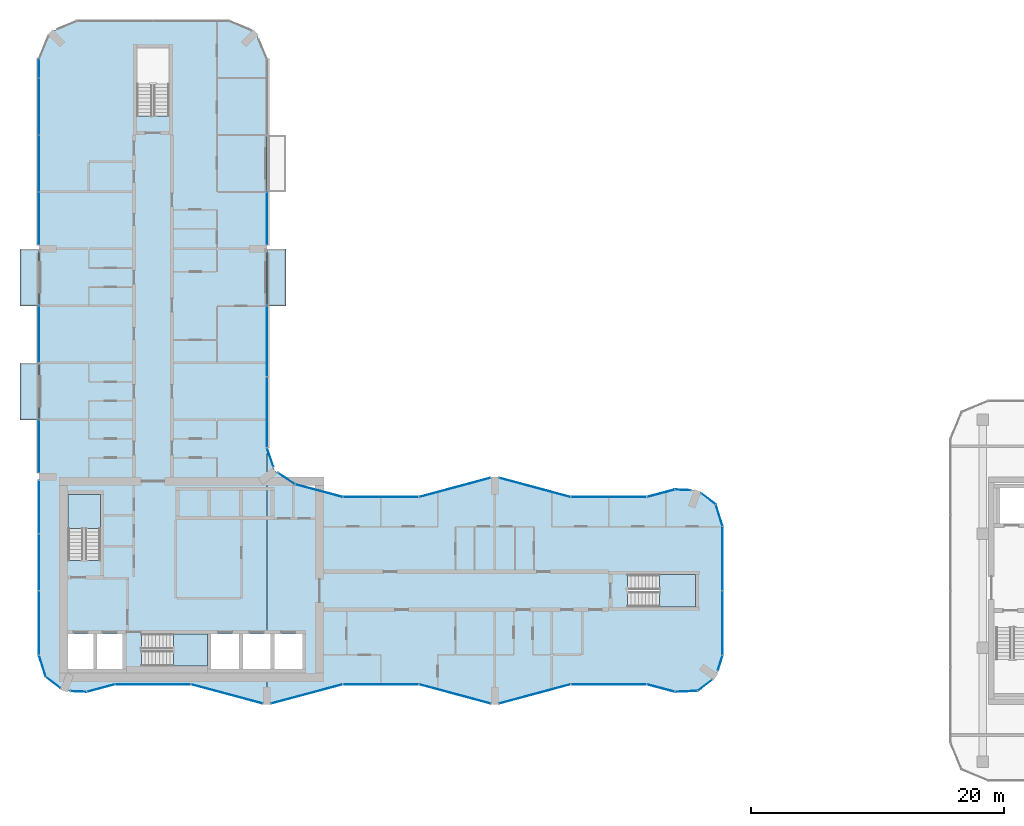
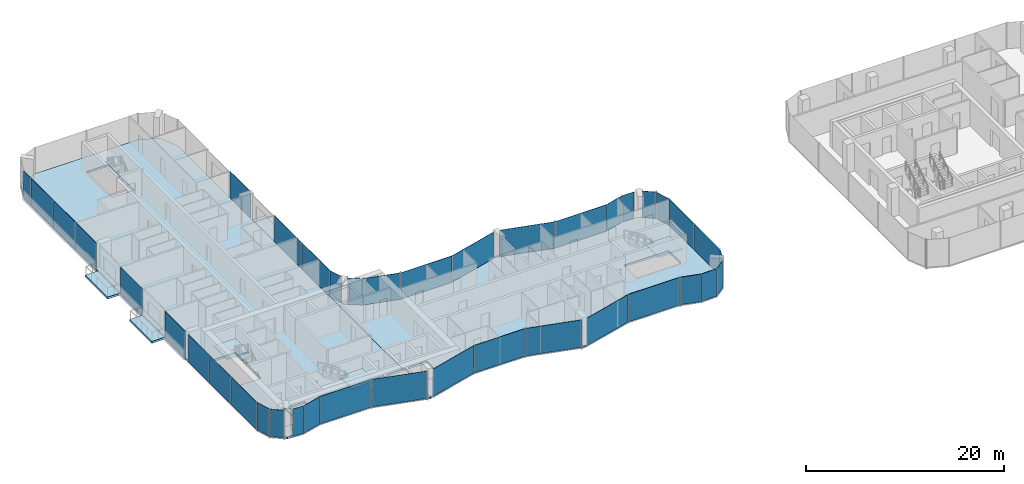
# One storey, part 11 of 23: 40 plates, 8 slabs, 36 elements without a shape of their own.
"""IFC4 building model written with IfcOpenShell, lengths in metres."""

from ifc_helpers import new_model, si_unit, direction, frame, origin, origin_2d, place, context, subcontext, project, spatial, polyline, rectangle, outline, extrude, material, layer, layer_set, type_object, element, aggregate, save


model = new_model("IFC4")

# Units and contexts
model_context = context("Model", 3, precision=1e-05, world=origin(), true_north=direction((0.0, 1.0)))
body_context = subcontext(model_context, "Body", "Model", "MODEL_VIEW")
ifc_project = project(units=[si_unit("LENGTHUNIT", "METRE"), si_unit("AREAUNIT", "SQUARE_METRE"), si_unit("VOLUMEUNIT", "CUBIC_METRE"), si_unit("PLANEANGLEUNIT", "RADIAN"), si_unit("MASSUNIT", "GRAM", prefix="KILO")], contexts=[model_context])

# Site, building, storey
site_placement = place(None, origin())
site = spatial("IfcSite", under=ifc_project, at=site_placement, CompositionType="ELEMENT")
building_placement = place(site_placement, origin())
building = spatial("IfcBuilding", under=site, at=building_placement, Name="Plateau Cross Towers", CompositionType="ELEMENT")
storey_placement = place(building_placement, frame((0.0, 0.0, 88.800048828125)))
storey = spatial("IfcBuildingStorey", under=building, at=storey_placement, Name="L22", CompositionType="ELEMENT", Elevation=88.800048828125)

# Slabs
ifc_material_1 = material(Name="Concrete C40/50", Category="concrete")
ifc_layer_1 = layer(ifc_material_1, 0.25)
ifc_layer_set_1 = layer_set([ifc_layer_1], Name="Concrete C40/50")
slab_type_1 = type_object("IfcSlabType", Name="Balcony slab 250", PredefinedType="FLOOR", material=ifc_layer_set_1)
slab_1_placement = place(storey_placement, frame((0.0, 0.0, -0.25)))
element("IfcSlab", 1, at=slab_1_placement, inside=storey, type_object=slab_type_1, Name="Balcony slab A-BAL-L22-01", PredefinedType="FLOOR", context=body_context, shape_type="SweptSolid", body=[
    extrude(outline(polyline([(0.0, 22.5), (0.0, 27.0), (-1.5, 27.0), (-1.5, 22.5), (0.0, 22.5)])), origin(), (0.0, 0.0, 1.0), 0.25),
])
slab_2_placement = place(storey_placement, frame((0.0, 0.0, -0.25)))
element("IfcSlab", 2, at=slab_2_placement, inside=storey, type_object=slab_type_1, Name="Balcony slab A-BAL-L22-02", PredefinedType="FLOOR", context=body_context, shape_type="SweptSolid", body=[
    extrude(outline(polyline([(0.0, 31.5), (0.0, 36.0), (-1.5, 36.0), (-1.5, 31.5), (0.0, 31.5)])), origin(), (0.0, 0.0, 1.0), 0.25),
])
slab_3_placement = place(storey_placement, frame((0.0, 0.0, -0.25)))
element("IfcSlab", 3, at=slab_3_placement, inside=storey, type_object=slab_type_1, Name="Balcony slab A-BAL-L22-03", PredefinedType="FLOOR", context=body_context, shape_type="SweptSolid", body=[
    extrude(outline(polyline([(19.5, 31.5), (19.5, 36.0), (18.0, 36.0), (18.0, 31.5), (19.5, 31.5)])), origin(), (0.0, 0.0, 1.0), 0.25),
])

# Curtain wall, plate
ifc_material_2 = material(Name="Dark low-iron glass", Category="glass")
ifc_layer_2 = layer(ifc_material_2, 0.239990234375)
ifc_layer_set_2 = layer_set([ifc_layer_2], Name="Dark low-iron glass")
curtain_wall_type_1 = type_object("IfcCurtainWallType", Name="Curtain wall flush unitised CW-B", PredefinedType="NOTDEFINED", material=ifc_layer_set_2)
curtain_wall_1_placement = place(storey_placement, origin())
curtain_wall_1 = element("IfcCurtainWall", 4, at=curtain_wall_1_placement, inside=storey, type_object=curtain_wall_type_1, Name="ENV/A/L22/A502_10", PredefinedType="NOTDEFINED")
ifc_layer_3 = layer(ifc_material_2, 0.031982421875)
ifc_layer_set_3 = layer_set([ifc_layer_3], Name="Dark low-iron glass")
plate_type_1 = type_object("IfcPlateType", Name="Glass panel 32 flush unitised", PredefinedType="CURTAIN_PANEL", material=ifc_layer_set_3)
plate_1_placement = place(storey_placement, frame((51.125, 1.05078125, -0.1298828125), z_axis=(0.0, 0.0, 1.0), x_axis=(0.999043701491, 0.043722791671, 0.0)))
plate_1 = element("IfcPlate", 5, at=plate_1_placement, type_object=plate_type_1, Name="CW-B panel 1", PredefinedType="CURTAIN_PANEL", context=body_context, shape_type="SweptSolid", body=[
    extrude(rectangle(XDim=1.744140625, YDim=0.031982421875, at=origin_2d()), origin(), (0.0, 0.0, 1.0), 3.3798828125),
])
aggregate(curtain_wall_1, [plate_1])

curtain_wall_2_placement = place(storey_placement, origin())
curtain_wall_2 = element("IfcCurtainWall", 6, at=curtain_wall_2_placement, inside=storey, type_object=curtain_wall_type_1, Name="ENV/A/L22/A520_11", PredefinedType="NOTDEFINED")
plate_2_placement = place(storey_placement, frame((52.60986328125, 1.5380859375, -0.1298828125), z_axis=(0.0, 0.0, 1.0), x_axis=(0.793315514529, 0.608810721331, 0.0)))
plate_2 = element("IfcPlate", 7, at=plate_2_placement, type_object=plate_type_1, Name="CW-B panel 1", PredefinedType="CURTAIN_PANEL", context=body_context, shape_type="SweptSolid", body=[
    extrude(rectangle(XDim=1.41162109375, YDim=0.031982421875, at=origin_2d()), origin(), (0.0, 0.0, 1.0), 3.3798828125),
])
aggregate(curtain_wall_2, [plate_2])

curtain_wall_3_placement = place(storey_placement, origin())
curtain_wall_3 = element("IfcCurtainWall", 8, at=curtain_wall_3_placement, inside=storey, type_object=curtain_wall_type_1, Name="ENV/A/L22/A536_27", PredefinedType="NOTDEFINED")
plate_3_placement = place(storey_placement, frame((53.805419921875, 3.292236328125, -0.1298828125), z_axis=(0.0, 0.0, 1.0), x_axis=(0.300686174994, 0.95372313811, 0.0)))
plate_3 = element("IfcPlate", 9, at=plate_3_placement, type_object=plate_type_1, Name="CW-B panel 1", PredefinedType="CURTAIN_PANEL", context=body_context, shape_type="SweptSolid", body=[
    extrude(rectangle(XDim=1.233642578125, YDim=0.031982421875, at=origin_2d()), origin(), (0.0, 0.0, 1.0), 3.3798828125),
])
aggregate(curtain_wall_3, [plate_3])

# Curtain wall, plates
curtain_wall_4_placement = place(storey_placement, origin())
curtain_wall_4 = element("IfcCurtainWall", 10, at=curtain_wall_4_placement, inside=storey, type_object=curtain_wall_type_1, Name="ENV/A/L22/A540_39", PredefinedType="NOTDEFINED")
plate_4_placement = place(storey_placement, frame((54.0, 6.45458984375, -0.1298828125), z_axis=(0.0, 0.0, 1.0), x_axis=(0.0, 1.0, 0.0)))
plate_4 = element("IfcPlate", 11, at=plate_4_placement, type_object=plate_type_1, Name="CW-B panel 1", PredefinedType="CURTAIN_PANEL", context=body_context, shape_type="SweptSolid", body=[
    extrude(rectangle(XDim=5.03076171875, YDim=0.031982421875, at=origin_2d()), origin(), (0.0, 0.0, 1.0), 3.3798828125),
])
plate_5_placement = place(storey_placement, frame((54.0, 11.54541015625, -0.1298828125), z_axis=(0.0, 0.0, 1.0), x_axis=(0.0, 1.0, 0.0)))
plate_5 = element("IfcPlate", 12, at=plate_5_placement, type_object=plate_type_1, Name="CW-B panel 2", PredefinedType="CURTAIN_PANEL", context=body_context, shape_type="SweptSolid", body=[
    extrude(rectangle(XDim=5.03076171875, YDim=0.031982421875, at=origin_2d()), origin(), (0.0, 0.0, 1.0), 3.3798828125),
])
aggregate(curtain_wall_4, [plate_4, plate_5])

# Curtain wall, plate
curtain_wall_5_placement = place(storey_placement, origin())
curtain_wall_5 = element("IfcCurtainWall", 13, at=curtain_wall_5_placement, inside=storey, type_object=curtain_wall_type_1, Name="ENV/A/L22/A540_141", PredefinedType="NOTDEFINED")
plate_6_placement = place(storey_placement, frame((53.728759765625, 14.951171875, -0.1298828125), z_axis=(0.0, 0.0, 1.0), x_axis=(-0.300686174994, 0.95372313811, 0.0)))
plate_6 = element("IfcPlate", 14, at=plate_6_placement, type_object=plate_type_1, Name="CW-B panel 1", PredefinedType="CURTAIN_PANEL", context=body_context, shape_type="SweptSolid", body=[
    extrude(rectangle(XDim=1.744140625, YDim=0.031982421875, at=origin_2d()), origin(), (0.0, 0.0, 1.0), 3.3798828125),
])
aggregate(curtain_wall_5, [plate_6])

curtain_wall_6_placement = place(storey_placement, origin())
curtain_wall_6 = element("IfcCurtainWall", 15, at=curtain_wall_6_placement, inside=storey, type_object=curtain_wall_type_1, Name="ENV/A/L22/A535_158", PredefinedType="NOTDEFINED")
plate_7_placement = place(storey_placement, frame((52.873779296875, 16.25927734375, -0.1298828125), z_axis=(0.0, 0.0, 1.0), x_axis=(-0.793315514529, 0.608810721331, 0.0)))
plate_7 = element("IfcPlate", 16, at=plate_7_placement, type_object=plate_type_1, Name="CW-B panel 1", PredefinedType="CURTAIN_PANEL", context=body_context, shape_type="SweptSolid", body=[
    extrude(rectangle(XDim=1.41162109375, YDim=0.031982421875, at=origin_2d()), origin(), (0.0, 0.0, 1.0), 3.3798828125),
])
aggregate(curtain_wall_6, [plate_7])

curtain_wall_7_placement = place(storey_placement, origin())
curtain_wall_7 = element("IfcCurtainWall", 17, at=curtain_wall_7_placement, inside=storey, type_object=curtain_wall_type_1, Name="ENV/A/L22/A515_169", PredefinedType="NOTDEFINED")
plate_8_placement = place(storey_placement, frame((50.8701171875, 16.96044921875, -0.1298828125), z_axis=(0.0, 0.0, 1.0), x_axis=(-0.999043701491, 0.043722791671, 0.0)))
plate_8 = element("IfcPlate", 18, at=plate_8_placement, type_object=plate_type_1, Name="CW-B panel 1", PredefinedType="CURTAIN_PANEL", context=body_context, shape_type="SweptSolid", body=[
    extrude(rectangle(XDim=1.233642578125, YDim=0.031982421875, at=origin_2d()), origin(), (0.0, 0.0, 1.0), 3.3798828125),
])
aggregate(curtain_wall_7, [plate_8])

curtain_wall_8_placement = place(storey_placement, origin())
curtain_wall_8 = element("IfcCurtainWall", 19, at=curtain_wall_8_placement, inside=storey, type_object=curtain_wall_type_1, Name="ENV/A/L22/A202_174", PredefinedType="NOTDEFINED")
plate_9_placement = place(storey_placement, frame((19.546630859375, 17.856689453125, -0.1298828125), z_axis=(0.0, 0.0, 1.0), x_axis=(-0.831521253329, 0.555492938984, 0.0)))
plate_9 = element("IfcPlate", 20, at=plate_9_placement, type_object=plate_type_1, Name="CW-B panel 1", PredefinedType="CURTAIN_PANEL", context=body_context, shape_type="SweptSolid", body=[
    extrude(rectangle(XDim=1.56884765625, YDim=0.031982421875, at=origin_2d()), origin(), (0.0, 0.0, 1.0), 3.3798828125),
])
aggregate(curtain_wall_8, [plate_9])

curtain_wall_9_placement = place(storey_placement, origin())
curtain_wall_9 = element("IfcCurtainWall", 21, at=curtain_wall_9_placement, inside=storey, type_object=curtain_wall_type_1, Name="ENV/A/L22/A185_188", PredefinedType="NOTDEFINED")
plate_10_placement = place(storey_placement, frame((18.26171875, 19.531005859375, -0.1298828125), z_axis=(0.0, 0.0, 1.0), x_axis=(-0.321469161574, 0.94692004845, 0.0)))
plate_10 = element("IfcPlate", 22, at=plate_10_placement, type_object=plate_type_1, Name="CW-B panel 1", PredefinedType="CURTAIN_PANEL", context=body_context, shape_type="SweptSolid", body=[
    extrude(rectangle(XDim=1.56884765625, YDim=0.031982421875, at=origin_2d()), origin(), (0.0, 0.0, 1.0), 3.3798828125),
])
aggregate(curtain_wall_9, [plate_10])

# Curtain wall, plates
curtain_wall_10_placement = place(storey_placement, origin())
curtain_wall_10 = element("IfcCurtainWall", 23, at=curtain_wall_10_placement, inside=storey, type_object=curtain_wall_type_1, Name="ENV/A/L22/A180_203", PredefinedType="NOTDEFINED")
plate_11_placement = place(storey_placement, frame((18.0, 23.09912109375, -0.1298828125), z_axis=(0.0, 0.0, 1.0), x_axis=(0.0, 1.0, 0.0)))
plate_11 = element("IfcPlate", 24, at=plate_11_placement, type_object=plate_type_1, Name="CW-B panel 1", PredefinedType="CURTAIN_PANEL", context=body_context, shape_type="SweptSolid", body=[
    extrude(rectangle(XDim=5.533935546875, YDim=0.031982421875, at=origin_2d()), origin(), (0.0, 0.0, 1.0), 3.3798828125),
])
plate_12_placement = place(storey_placement, frame((18.0, 28.693115234375, -0.1298828125), z_axis=(0.0, 0.0, 1.0), x_axis=(0.0, 1.0, 0.0)))
plate_12 = element("IfcPlate", 25, at=plate_12_placement, type_object=plate_type_1, Name="CW-B panel 2", PredefinedType="CURTAIN_PANEL", context=body_context, shape_type="SweptSolid", body=[
    extrude(rectangle(XDim=5.533935546875, YDim=0.031982421875, at=origin_2d()), origin(), (0.0, 0.0, 1.0), 3.3798828125),
])
aggregate(curtain_wall_10, [plate_11, plate_12])

# Curtain wall, plate
curtain_wall_11_placement = place(storey_placement, origin())
curtain_wall_11 = element("IfcCurtainWall", 26, at=curtain_wall_11_placement, inside=storey, type_object=curtain_wall_type_1, Name="ENV/A/L22/A180_363", PredefinedType="NOTDEFINED")
plate_13_placement = place(storey_placement, frame((18.0, 38.39501953125, -0.1298828125), z_axis=(0.0, 0.0, 1.0), x_axis=(0.0, 1.0, 0.0)))
plate_13 = element("IfcPlate", 27, at=plate_13_placement, type_object=plate_type_1, Name="CW-B panel 1", PredefinedType="CURTAIN_PANEL", context=body_context, shape_type="SweptSolid", body=[
    extrude(rectangle(XDim=4.1298828125, YDim=0.031982421875, at=origin_2d()), origin(), (0.0, 0.0, 1.0), 3.3798828125),
])
aggregate(curtain_wall_11, [plate_13])

# Curtain wall, plates
curtain_wall_12_placement = place(storey_placement, origin())
curtain_wall_12 = element("IfcCurtainWall", 28, at=curtain_wall_12_placement, inside=storey, type_object=curtain_wall_type_1, Name="ENV/A/L22/A0_510", PredefinedType="NOTDEFINED")
plate_14_placement = place(storey_placement, frame((0.0, 50.25, -0.1298828125), z_axis=(0.0, 0.0, 1.0), x_axis=(0.0, -1.0, 0.0)))
plate_14 = element("IfcPlate", 29, at=plate_14_placement, type_object=plate_type_1, Name="CW-B panel 1", PredefinedType="CURTAIN_PANEL", context=body_context, shape_type="SweptSolid", body=[
    extrude(rectangle(XDim=1.43994140625, YDim=0.031982421875, at=origin_2d()), origin(), (0.0, 0.0, 1.0), 3.3798828125),
])
plate_15_placement = place(storey_placement, frame((0.0, 47.25, -0.1298828125), z_axis=(0.0, 0.0, 1.0), x_axis=(0.0, -1.0, 0.0)))
plate_15 = element("IfcPlate", 30, at=plate_15_placement, type_object=plate_type_1, Name="CW-B panel 2", PredefinedType="CURTAIN_PANEL", context=body_context, shape_type="SweptSolid", body=[
    extrude(rectangle(XDim=4.43994140625, YDim=0.031982421875, at=origin_2d()), origin(), (0.0, 0.0, 1.0), 3.3798828125),
])
plate_16_placement = place(storey_placement, frame((0.0, 42.75, -0.1298828125), z_axis=(0.0, 0.0, 1.0), x_axis=(0.0, -1.0, 0.0)))
plate_16 = element("IfcPlate", 31, at=plate_16_placement, type_object=plate_type_1, Name="CW-B panel 3", PredefinedType="CURTAIN_PANEL", context=body_context, shape_type="SweptSolid", body=[
    extrude(rectangle(XDim=4.43994140625, YDim=0.031982421875, at=origin_2d()), origin(), (0.0, 0.0, 1.0), 3.3798828125),
])
plate_17_placement = place(storey_placement, frame((0.0, 38.39990234375, -0.1298828125), z_axis=(0.0, 0.0, 1.0), x_axis=(0.0, -1.0, 0.0)))
plate_17 = element("IfcPlate", 32, at=plate_17_placement, type_object=plate_type_1, Name="CW-B panel 4", PredefinedType="CURTAIN_PANEL", context=body_context, shape_type="SweptSolid", body=[
    extrude(rectangle(XDim=4.139892578125, YDim=0.031982421875, at=origin_2d()), origin(), (0.0, 0.0, 1.0), 3.3798828125),
])
aggregate(curtain_wall_12, [plate_14, plate_15, plate_16, plate_17])

# Curtain wall, plate
curtain_wall_13_placement = place(storey_placement, origin())
curtain_wall_13 = element("IfcCurtainWall", 33, at=curtain_wall_13_placement, inside=storey, type_object=curtain_wall_type_1, Name="ENV/A/L22/A0_315", PredefinedType="NOTDEFINED")
plate_18_placement = place(storey_placement, frame((0.0, 29.25, -0.1298828125), z_axis=(0.0, 0.0, 1.0), x_axis=(0.0, -1.0, 0.0)))
plate_18 = element("IfcPlate", 34, at=plate_18_placement, type_object=plate_type_1, Name="CW-B panel 1", PredefinedType="CURTAIN_PANEL", context=body_context, shape_type="SweptSolid", body=[
    extrude(rectangle(XDim=4.419921875, YDim=0.031982421875, at=origin_2d()), origin(), (0.0, 0.0, 1.0), 3.3798828125),
])
aggregate(curtain_wall_13, [plate_18])

curtain_wall_14_placement = place(storey_placement, origin())
curtain_wall_14 = element("IfcCurtainWall", 35, at=curtain_wall_14_placement, inside=storey, type_object=curtain_wall_type_1, Name="ENV/A/L22/A0_225", PredefinedType="NOTDEFINED")
plate_19_placement = place(storey_placement, frame((0.0, 20.39501953125, -0.1298828125), z_axis=(0.0, 0.0, 1.0), x_axis=(0.0, -1.0, 0.0)))
plate_19 = element("IfcPlate", 36, at=plate_19_placement, type_object=plate_type_1, Name="CW-B panel 1", PredefinedType="CURTAIN_PANEL", context=body_context, shape_type="SweptSolid", body=[
    extrude(rectangle(XDim=4.1298828125, YDim=0.031982421875, at=origin_2d()), origin(), (0.0, 0.0, 1.0), 3.3798828125),
])
aggregate(curtain_wall_14, [plate_19])

# Curtain wall, plates
curtain_wall_15_placement = place(storey_placement, origin())
curtain_wall_15 = element("IfcCurtainWall", 37, at=curtain_wall_15_placement, inside=storey, type_object=curtain_wall_type_1, Name="ENV/A/L22/A0_177", PredefinedType="NOTDEFINED")
plate_20_placement = place(storey_placement, frame((0.0, 15.60009765625, -0.1298828125), z_axis=(0.0, 0.0, 1.0), x_axis=(0.0, -1.0, 0.0)))
plate_20 = element("IfcPlate", 38, at=plate_20_placement, type_object=plate_type_1, Name="CW-B panel 1", PredefinedType="CURTAIN_PANEL", context=body_context, shape_type="SweptSolid", body=[
    extrude(rectangle(XDim=4.139892578125, YDim=0.031982421875, at=origin_2d()), origin(), (0.0, 0.0, 1.0), 3.3798828125),
])
plate_21_placement = place(storey_placement, frame((0.0, 11.25, -0.1298828125), z_axis=(0.0, 0.0, 1.0), x_axis=(0.0, -1.0, 0.0)))
plate_21 = element("IfcPlate", 39, at=plate_21_placement, type_object=plate_type_1, Name="CW-B panel 2", PredefinedType="CURTAIN_PANEL", context=body_context, shape_type="SweptSolid", body=[
    extrude(rectangle(XDim=4.43994140625, YDim=0.031982421875, at=origin_2d()), origin(), (0.0, 0.0, 1.0), 3.3798828125),
])
plate_22_placement = place(storey_placement, frame((0.0, 6.45458984375, -0.1298828125), z_axis=(0.0, 0.0, 1.0), x_axis=(0.0, -1.0, 0.0)))
plate_22 = element("IfcPlate", 40, at=plate_22_placement, type_object=plate_type_1, Name="CW-B panel 3", PredefinedType="CURTAIN_PANEL", context=body_context, shape_type="SweptSolid", body=[
    extrude(rectangle(XDim=5.03076171875, YDim=0.031982421875, at=origin_2d()), origin(), (0.0, 0.0, 1.0), 3.3798828125),
])
aggregate(curtain_wall_15, [plate_20, plate_21, plate_22])

# Curtain wall, plate
curtain_wall_16_placement = place(storey_placement, origin())
curtain_wall_16 = element("IfcCurtainWall", 41, at=curtain_wall_16_placement, inside=storey, type_object=curtain_wall_type_1, Name="ENV/A/L22/A0_39", PredefinedType="NOTDEFINED")
plate_23_placement = place(storey_placement, frame((0.271240234375, 3.048828125, -0.1298828125), z_axis=(0.0, 0.0, 1.0), x_axis=(0.300686174994, -0.95372313811, 0.0)))
plate_23 = element("IfcPlate", 42, at=plate_23_placement, type_object=plate_type_1, Name="CW-B panel 1", PredefinedType="CURTAIN_PANEL", context=body_context, shape_type="SweptSolid", body=[
    extrude(rectangle(XDim=1.744140625, YDim=0.031982421875, at=origin_2d()), origin(), (0.0, 0.0, 1.0), 3.3798828125),
])
aggregate(curtain_wall_16, [plate_23])

curtain_wall_17_placement = place(storey_placement, origin())
curtain_wall_17 = element("IfcCurtainWall", 43, at=curtain_wall_17_placement, inside=storey, type_object=curtain_wall_type_1, Name="ENV/A/L22/A5_22", PredefinedType="NOTDEFINED")
plate_24_placement = place(storey_placement, frame((1.126220703125, 1.74072265625, -0.1298828125), z_axis=(0.0, 0.0, 1.0), x_axis=(0.793315514529, -0.608810721331, 0.0)))
plate_24 = element("IfcPlate", 44, at=plate_24_placement, type_object=plate_type_1, Name="CW-B panel 1", PredefinedType="CURTAIN_PANEL", context=body_context, shape_type="SweptSolid", body=[
    extrude(rectangle(XDim=1.41162109375, YDim=0.031982421875, at=origin_2d()), origin(), (0.0, 0.0, 1.0), 3.3798828125),
])
aggregate(curtain_wall_17, [plate_24])

curtain_wall_18_placement = place(storey_placement, origin())
curtain_wall_18 = element("IfcCurtainWall", 45, at=curtain_wall_18_placement, inside=storey, type_object=curtain_wall_type_1, Name="ENV/A/L22/A25_11", PredefinedType="NOTDEFINED")
plate_25_placement = place(storey_placement, frame((3.1298828125, 1.03955078125, -0.1298828125), z_axis=(0.0, 0.0, 1.0), x_axis=(0.999043701491, -0.043722791671, 0.0)))
plate_25 = element("IfcPlate", 46, at=plate_25_placement, type_object=plate_type_1, Name="CW-B panel 1", PredefinedType="CURTAIN_PANEL", context=body_context, shape_type="SweptSolid", body=[
    extrude(rectangle(XDim=1.233642578125, YDim=0.031982421875, at=origin_2d()), origin(), (0.0, 0.0, 1.0), 3.3798828125),
])
aggregate(curtain_wall_18, [plate_25])

ifc_layer_4 = layer(ifc_material_2, 0.260009765625)
ifc_layer_set_4 = layer_set([ifc_layer_4], Name="Dark low-iron glass")
curtain_wall_type_2 = type_object("IfcCurtainWallType", Name="Curtain wall fluted unitised CW-A", PredefinedType="NOTDEFINED", material=ifc_layer_set_4)
curtain_wall_19_placement = place(storey_placement, origin())
curtain_wall_19 = element("IfcCurtainWall", 47, at=curtain_wall_19_placement, inside=storey, type_object=curtain_wall_type_2, Name="ENV/A/L22/A38_10", PredefinedType="NOTDEFINED")
ifc_layer_5 = layer(ifc_material_2, 0.035888671875)
ifc_layer_set_5 = layer_set([ifc_layer_5], Name="Dark low-iron glass")
plate_type_2 = type_object("IfcPlateType", Name="Glass panel 36 fluted unitised", PredefinedType="CURTAIN_PANEL", material=ifc_layer_set_5)
plate_26_placement = place(storey_placement, frame((4.887939453125, 1.30908203125, -0.1298828125), z_axis=(0.0, 0.0, 1.0), x_axis=(0.965957962328, 0.258699081978, 0.0)))
plate_26 = element("IfcPlate", 48, at=plate_26_placement, type_object=plate_type_2, Name="CW-A panel 1", PredefinedType="CURTAIN_PANEL", context=body_context, shape_type="SweptSolid", body=[
    extrude(rectangle(XDim=2.2421875, YDim=0.035888671875, at=origin_2d()), origin(), (0.0, 0.0, 1.0), 3.3798828125),
])
aggregate(curtain_wall_19, [plate_26])

curtain_wall_20_placement = place(storey_placement, origin())
curtain_wall_20 = element("IfcCurtainWall", 49, at=curtain_wall_20_placement, inside=storey, type_object=curtain_wall_type_2, Name="ENV/A/L22/A60_16", PredefinedType="NOTDEFINED")
plate_27_placement = place(storey_placement, frame((9.0, 1.60693359375, -0.1298828125), z_axis=(0.0, 0.0, 1.0), x_axis=(1.0, 0.0, 0.0)))
plate_27 = element("IfcPlate", 50, at=plate_27_placement, type_object=plate_type_2, Name="CW-A panel 1", PredefinedType="CURTAIN_PANEL", context=body_context, shape_type="SweptSolid", body=[
    extrude(rectangle(XDim=5.93994140625, YDim=0.035888671875, at=origin_2d()), origin(), (0.0, 0.0, 1.0), 3.3798828125),
])
aggregate(curtain_wall_20, [plate_27])

curtain_wall_21_placement = place(storey_placement, origin())
curtain_wall_21 = element("IfcCurtainWall", 51, at=curtain_wall_21_placement, inside=storey, type_object=curtain_wall_type_2, Name="ENV/A/L22/A120_16", PredefinedType="NOTDEFINED")
plate_28_placement = place(storey_placement, frame((14.841064453125, 0.845947265625, -0.1298828125), z_axis=(0.0, 0.0, 1.0), x_axis=(0.965957983404, -0.258699003279, 0.0)))
plate_28 = element("IfcPlate", 52, at=plate_28_placement, type_object=plate_type_2, Name="CW-A panel 1", PredefinedType="CURTAIN_PANEL", context=body_context, shape_type="SweptSolid", body=[
    extrude(rectangle(XDim=5.822265625, YDim=0.035888671875, at=origin_2d()), origin(), (0.0, 0.0, 1.0), 3.3798828125),
])
aggregate(curtain_wall_21, [plate_28])

curtain_wall_22_placement = place(storey_placement, origin())
curtain_wall_22 = element("IfcCurtainWall", 53, at=curtain_wall_22_placement, inside=storey, type_object=curtain_wall_type_2, Name="ENV/A/L22/A183_1", PredefinedType="NOTDEFINED")
plate_29_placement = place(storey_placement, frame((21.158935546875, 0.845947265625, -0.1298828125), z_axis=(0.0, 0.0, 1.0), x_axis=(0.965957983404, 0.258699003279, 0.0)))
plate_29 = element("IfcPlate", 54, at=plate_29_placement, type_object=plate_type_2, Name="CW-A panel 1", PredefinedType="CURTAIN_PANEL", context=body_context, shape_type="SweptSolid", body=[
    extrude(rectangle(XDim=5.822265625, YDim=0.035888671875, at=origin_2d()), origin(), (0.0, 0.0, 1.0), 3.3798828125),
])
aggregate(curtain_wall_22, [plate_29])

curtain_wall_23_placement = place(storey_placement, origin())
curtain_wall_23 = element("IfcCurtainWall", 55, at=curtain_wall_23_placement, inside=storey, type_object=curtain_wall_type_2, Name="ENV/A/L22/A240_16", PredefinedType="NOTDEFINED")
plate_30_placement = place(storey_placement, frame((27.0, 1.60693359375, -0.1298828125), z_axis=(0.0, 0.0, 1.0), x_axis=(1.0, 0.0, 0.0)))
plate_30 = element("IfcPlate", 56, at=plate_30_placement, type_object=plate_type_2, Name="CW-A panel 1", PredefinedType="CURTAIN_PANEL", context=body_context, shape_type="SweptSolid", body=[
    extrude(rectangle(XDim=5.93994140625, YDim=0.035888671875, at=origin_2d()), origin(), (0.0, 0.0, 1.0), 3.3798828125),
])
aggregate(curtain_wall_23, [plate_30])

curtain_wall_24_placement = place(storey_placement, origin())
curtain_wall_24 = element("IfcCurtainWall", 57, at=curtain_wall_24_placement, inside=storey, type_object=curtain_wall_type_2, Name="ENV/A/L22/A300_16", PredefinedType="NOTDEFINED")
plate_31_placement = place(storey_placement, frame((32.841064453125, 0.845947265625, -0.1298828125), z_axis=(0.0, 0.0, 1.0), x_axis=(0.965957983404, -0.258699003279, 0.0)))
plate_31 = element("IfcPlate", 58, at=plate_31_placement, type_object=plate_type_2, Name="CW-A panel 1", PredefinedType="CURTAIN_PANEL", context=body_context, shape_type="SweptSolid", body=[
    extrude(rectangle(XDim=5.822265625, YDim=0.035888671875, at=origin_2d()), origin(), (0.0, 0.0, 1.0), 3.3798828125),
])
aggregate(curtain_wall_24, [plate_31])

curtain_wall_25_placement = place(storey_placement, origin())
curtain_wall_25 = element("IfcCurtainWall", 59, at=curtain_wall_25_placement, inside=storey, type_object=curtain_wall_type_2, Name="ENV/A/L22/A363_1", PredefinedType="NOTDEFINED")
plate_32_placement = place(storey_placement, frame((39.158935546875, 0.845947265625, -0.1298828125), z_axis=(0.0, 0.0, 1.0), x_axis=(0.965957983404, 0.258699003279, 0.0)))
plate_32 = element("IfcPlate", 60, at=plate_32_placement, type_object=plate_type_2, Name="CW-A panel 1", PredefinedType="CURTAIN_PANEL", context=body_context, shape_type="SweptSolid", body=[
    extrude(rectangle(XDim=5.822265625, YDim=0.035888671875, at=origin_2d()), origin(), (0.0, 0.0, 1.0), 3.3798828125),
])
aggregate(curtain_wall_25, [plate_32])

curtain_wall_26_placement = place(storey_placement, origin())
curtain_wall_26 = element("IfcCurtainWall", 61, at=curtain_wall_26_placement, inside=storey, type_object=curtain_wall_type_2, Name="ENV/A/L22/A420_16", PredefinedType="NOTDEFINED")
plate_33_placement = place(storey_placement, frame((45.0, 1.60693359375, -0.1298828125), z_axis=(0.0, 0.0, 1.0), x_axis=(1.0, 0.0, 0.0)))
plate_33 = element("IfcPlate", 62, at=plate_33_placement, type_object=plate_type_2, Name="CW-A panel 1", PredefinedType="CURTAIN_PANEL", context=body_context, shape_type="SweptSolid", body=[
    extrude(rectangle(XDim=5.93994140625, YDim=0.035888671875, at=origin_2d()), origin(), (0.0, 0.0, 1.0), 3.3798828125),
])
aggregate(curtain_wall_26, [plate_33])

curtain_wall_27_placement = place(storey_placement, origin())
curtain_wall_27 = element("IfcCurtainWall", 63, at=curtain_wall_27_placement, inside=storey, type_object=curtain_wall_type_2, Name="ENV/A/L22/A480_16", PredefinedType="NOTDEFINED")
plate_34_placement = place(storey_placement, frame((49.112060546875, 1.30908203125, -0.1298828125), z_axis=(0.0, 0.0, 1.0), x_axis=(0.965957962328, -0.258699081978, 0.0)))
plate_34 = element("IfcPlate", 64, at=plate_34_placement, type_object=plate_type_2, Name="CW-A panel 1", PredefinedType="CURTAIN_PANEL", context=body_context, shape_type="SweptSolid", body=[
    extrude(rectangle(XDim=2.2421875, YDim=0.035888671875, at=origin_2d()), origin(), (0.0, 0.0, 1.0), 3.3798828125),
])
aggregate(curtain_wall_27, [plate_34])

curtain_wall_28_placement = place(storey_placement, origin())
curtain_wall_28 = element("IfcCurtainWall", 65, at=curtain_wall_28_placement, inside=storey, type_object=curtain_wall_type_2, Name="ENV/A/L22/A502_170", PredefinedType="NOTDEFINED")
plate_35_placement = place(storey_placement, frame((49.112060546875, 16.69091796875, -0.1298828125), z_axis=(0.0, 0.0, 1.0), x_axis=(-0.965957962328, -0.258699081978, 0.0)))
plate_35 = element("IfcPlate", 66, at=plate_35_placement, type_object=plate_type_2, Name="CW-A panel 1", PredefinedType="CURTAIN_PANEL", context=body_context, shape_type="SweptSolid", body=[
    extrude(rectangle(XDim=2.2421875, YDim=0.035888671875, at=origin_2d()), origin(), (0.0, 0.0, 1.0), 3.3798828125),
])
aggregate(curtain_wall_28, [plate_35])

curtain_wall_29_placement = place(storey_placement, origin())
curtain_wall_29 = element("IfcCurtainWall", 67, at=curtain_wall_29_placement, inside=storey, type_object=curtain_wall_type_2, Name="ENV/A/L22/A480_164", PredefinedType="NOTDEFINED")
plate_36_placement = place(storey_placement, frame((45.0, 16.39306640625, -0.1298828125), z_axis=(0.0, 0.0, 1.0), x_axis=(-1.0, 0.0, 0.0)))
plate_36 = element("IfcPlate", 68, at=plate_36_placement, type_object=plate_type_2, Name="CW-A panel 1", PredefinedType="CURTAIN_PANEL", context=body_context, shape_type="SweptSolid", body=[
    extrude(rectangle(XDim=5.93994140625, YDim=0.035888671875, at=origin_2d()), origin(), (0.0, 0.0, 1.0), 3.3798828125),
])
aggregate(curtain_wall_29, [plate_36])

curtain_wall_30_placement = place(storey_placement, origin())
curtain_wall_30 = element("IfcCurtainWall", 69, at=curtain_wall_30_placement, inside=storey, type_object=curtain_wall_type_2, Name="ENV/A/L22/A420_164", PredefinedType="NOTDEFINED")
plate_37_placement = place(storey_placement, frame((39.158935546875, 17.154052734375, -0.1298828125), z_axis=(0.0, 0.0, 1.0), x_axis=(-0.965957983404, 0.258699003279, 0.0)))
plate_37 = element("IfcPlate", 70, at=plate_37_placement, type_object=plate_type_2, Name="CW-A panel 1", PredefinedType="CURTAIN_PANEL", context=body_context, shape_type="SweptSolid", body=[
    extrude(rectangle(XDim=5.822265625, YDim=0.035888671875, at=origin_2d()), origin(), (0.0, 0.0, 1.0), 3.3798828125),
])
aggregate(curtain_wall_30, [plate_37])

curtain_wall_31_placement = place(storey_placement, origin())
curtain_wall_31 = element("IfcCurtainWall", 71, at=curtain_wall_31_placement, inside=storey, type_object=curtain_wall_type_2, Name="ENV/A/L22/A357_179", PredefinedType="NOTDEFINED")
plate_38_placement = place(storey_placement, frame((32.841064453125, 17.154052734375, -0.1298828125), z_axis=(0.0, 0.0, 1.0), x_axis=(-0.965957983404, -0.258699003279, 0.0)))
plate_38 = element("IfcPlate", 72, at=plate_38_placement, type_object=plate_type_2, Name="CW-A panel 1", PredefinedType="CURTAIN_PANEL", context=body_context, shape_type="SweptSolid", body=[
    extrude(rectangle(XDim=5.822265625, YDim=0.035888671875, at=origin_2d()), origin(), (0.0, 0.0, 1.0), 3.3798828125),
])
aggregate(curtain_wall_31, [plate_38])

curtain_wall_32_placement = place(storey_placement, origin())
curtain_wall_32 = element("IfcCurtainWall", 73, at=curtain_wall_32_placement, inside=storey, type_object=curtain_wall_type_2, Name="ENV/A/L22/A300_164", PredefinedType="NOTDEFINED")
plate_39_placement = place(storey_placement, frame((27.0, 16.39306640625, -0.1298828125), z_axis=(0.0, 0.0, 1.0), x_axis=(-1.0, 0.0, 0.0)))
plate_39 = element("IfcPlate", 74, at=plate_39_placement, type_object=plate_type_2, Name="CW-A panel 1", PredefinedType="CURTAIN_PANEL", context=body_context, shape_type="SweptSolid", body=[
    extrude(rectangle(XDim=5.93994140625, YDim=0.035888671875, at=origin_2d()), origin(), (0.0, 0.0, 1.0), 3.3798828125),
])
aggregate(curtain_wall_32, [plate_39])

curtain_wall_33_placement = place(storey_placement, origin())
curtain_wall_33 = element("IfcCurtainWall", 75, at=curtain_wall_33_placement, inside=storey, type_object=curtain_wall_type_2, Name="ENV/A/L22/A240_164", PredefinedType="NOTDEFINED")
plate_40_placement = place(storey_placement, frame((22.112060546875, 16.898681640625, -0.1298828125), z_axis=(0.0, 0.0, 1.0), x_axis=(-0.965957995816, 0.258698956933, 0.0)))
plate_40 = element("IfcPlate", 76, at=plate_40_placement, type_object=plate_type_2, Name="CW-A panel 1", PredefinedType="CURTAIN_PANEL", context=body_context, shape_type="SweptSolid", body=[
    extrude(rectangle(XDim=3.84912109375, YDim=0.035888671875, at=origin_2d()), origin(), (0.0, 0.0, 1.0), 3.3798828125),
])
aggregate(curtain_wall_33, [plate_40])

# Slabs
ifc_layer_6 = layer(ifc_material_1, 0.25)
ifc_layer_set_6 = layer_set([ifc_layer_6], Name="Concrete C40/50")
slab_type_2 = type_object("IfcSlabType", Name="Post-tensioned flat plate slab 250", PredefinedType="FLOOR", material=ifc_layer_set_6)
slab_4_placement = place(storey_placement, frame((0.0, 0.0, -0.25)))
element("IfcSlab", 77, at=slab_4_placement, inside=storey, type_object=slab_type_2, Name="SL-A-L22 1", PredefinedType="FLOOR", context=body_context, shape_type="SweptSolid", body=[
    extrude(outline(polyline([(0.54248046875, 2.1884765625), (0.0, 3.9091796875), (0.0, 51.0), (0.878662109375, 53.121337890625), (3.0, 54.0), (15.0, 54.0), (17.121337890625, 53.121337890625), (18.0, 51.0), (18.0, 20.30224609375), (18.0, 5.60009765625), (16.10009765625, 5.60009765625), (16.10009765625, 2.800048828125), (18.0, 2.800048828125), (18.0, 0.0), (12.0, 1.60693359375), (6.0, 1.60693359375), (3.776123046875, 1.01123046875), (1.9736328125, 1.090087890625), (0.54248046875, 2.1884765625)]), holes=[polyline([(4.300048828125, 5.60009765625), (2.300048828125, 5.60009765625), (2.300048828125, 2.800048828125), (4.300048828125, 2.800048828125), (4.300048828125, 5.60009765625)]), polyline([(6.60009765625, 5.60009765625), (4.60009765625, 5.60009765625), (4.60009765625, 2.800048828125), (6.60009765625, 2.800048828125), (6.60009765625, 5.60009765625)]), polyline([(15.800048828125, 5.60009765625), (13.60009765625, 5.60009765625), (13.60009765625, 2.800048828125), (15.800048828125, 2.800048828125), (15.800048828125, 5.60009765625)]), polyline([(13.300048828125, 5.60009765625), (8.10009765625, 5.60009765625), (8.10009765625, 3.050048828125), (13.300048828125, 3.050048828125), (13.300048828125, 5.60009765625)]), polyline([(4.85009765625, 16.60009765625), (2.300048828125, 16.60009765625), (2.300048828125, 11.39990234375), (4.85009765625, 11.39990234375), (4.85009765625, 16.60009765625)]), polyline([(7.72509765625, 51.699951171875), (7.72509765625, 46.5), (10.27490234375, 46.5), (10.27490234375, 51.699951171875), (7.72509765625, 51.699951171875)])]), origin(), (0.0, 0.0, 1.0), 0.25),
])
slab_5_placement = place(storey_placement, frame((0.0, 0.0, -0.25)))
element("IfcSlab", 78, at=slab_5_placement, inside=storey, type_object=slab_type_2, Name="SL-A-L22 2", PredefinedType="FLOOR", context=body_context, shape_type="SweptSolid", body=[
    extrude(outline(polyline([(18.6201171875, 18.475830078125), (20.223876953125, 17.404296875), (24.0, 16.39306640625), (30.0, 16.39306640625), (36.0, 18.0), (42.0, 16.39306640625), (48.0, 16.39306640625), (50.223876953125, 16.98876953125), (52.0263671875, 16.909912109375), (53.45751953125, 15.8115234375), (54.0, 14.0908203125), (54.0, 3.9091796875), (53.45751953125, 2.1884765625), (52.0263671875, 1.090087890625), (50.223876953125, 1.01123046875), (48.0, 1.60693359375), (42.0, 1.60693359375), (36.0, 0.0), (30.0, 1.60693359375), (24.0, 1.60693359375), (18.0, 0.0), (18.0, 2.800048828125), (18.300048828125, 2.800048828125), (18.300048828125, 5.60009765625), (18.0, 5.60009765625), (18.0, 20.30224609375), (18.6201171875, 18.475830078125)]), holes=[polyline([(20.800048828125, 5.60009765625), (18.60009765625, 5.60009765625), (18.60009765625, 2.800048828125), (20.800048828125, 2.800048828125), (20.800048828125, 5.60009765625)]), polyline([(51.699951171875, 7.72509765625), (51.699951171875, 10.27490234375), (46.5, 10.27490234375), (46.5, 7.72509765625), (51.699951171875, 7.72509765625)])]), origin(), (0.0, 0.0, 1.0), 0.25),
])

# Stair, slab
stair_type = type_object("IfcStairType", Name="ST-TWR", PredefinedType="HALF_TURN_STAIR", material=ifc_material_1)
stair_1_placement = place(storey_placement, origin())
stair_1 = element("IfcStair", 79, at=stair_1_placement, inside=storey, type_object=stair_type, Name="L22 Protected Exit Stair ST-1", PredefinedType="HALF_TURN_STAIR")
ifc_layer_7 = layer(ifc_material_1, 0.199951171875)
ifc_layer_set_7 = layer_set([ifc_layer_7], Name="Concrete C40/50")
slab_type_3 = type_object("IfcSlabType", Name="SL-LANDING", PredefinedType="LANDING", material=ifc_layer_set_7)
slab_6_placement = place(storey_placement, frame((0.0, 0.0, 1.550048828125)))
slab_6 = element("IfcSlab", 80, at=slab_6_placement, type_object=slab_type_3, Name="ST-1 landing 1", PredefinedType="LANDING", context=body_context, shape_type="SweptSolid", body=[
    extrude(outline(polyline([(4.85009765625, 13.919921875), (4.85009765625, 16.60009765625), (2.300048828125, 16.60009765625), (2.300048828125, 13.919921875), (4.85009765625, 13.919921875)])), origin(), (0.0, 0.0, 1.0), 0.199951171875),
])
aggregate(stair_1, [slab_6])

stair_2_placement = place(storey_placement, origin())
stair_2 = element("IfcStair", 81, at=stair_2_placement, inside=storey, type_object=stair_type, Name="L22 Protected Exit Stair ST-2", PredefinedType="HALF_TURN_STAIR")
slab_7_placement = place(storey_placement, frame((0.0, 0.0, 1.550048828125)))
slab_7 = element("IfcSlab", 82, at=slab_7_placement, type_object=slab_type_3, Name="ST-2 landing 1", PredefinedType="LANDING", context=body_context, shape_type="SweptSolid", body=[
    extrude(outline(polyline([(10.6201171875, 3.050048828125), (13.300048828125, 3.050048828125), (13.300048828125, 5.60009765625), (10.6201171875, 5.60009765625), (10.6201171875, 3.050048828125)])), origin(), (0.0, 0.0, 1.0), 0.199951171875),
])
aggregate(stair_2, [slab_7])

stair_3_placement = place(storey_placement, origin())
stair_3 = element("IfcStair", 83, at=stair_3_placement, inside=storey, type_object=stair_type, Name="L22 Protected Exit Stair E", PredefinedType="HALF_TURN_STAIR")
slab_8_placement = place(storey_placement, frame((0.0, 0.0, 1.550048828125)))
slab_8 = element("IfcSlab", 84, at=slab_8_placement, type_object=slab_type_3, Name="ES-E landing 1", PredefinedType="LANDING", context=body_context, shape_type="SweptSolid", body=[
    extrude(outline(polyline([(49.02001953125, 7.72509765625), (51.85009765625, 7.72509765625), (51.85009765625, 10.27490234375), (49.02001953125, 10.27490234375), (49.02001953125, 7.72509765625)])), origin(), (0.0, 0.0, 1.0), 0.199951171875),
])
aggregate(stair_3, [slab_8])

save(model, "model.ifc")
